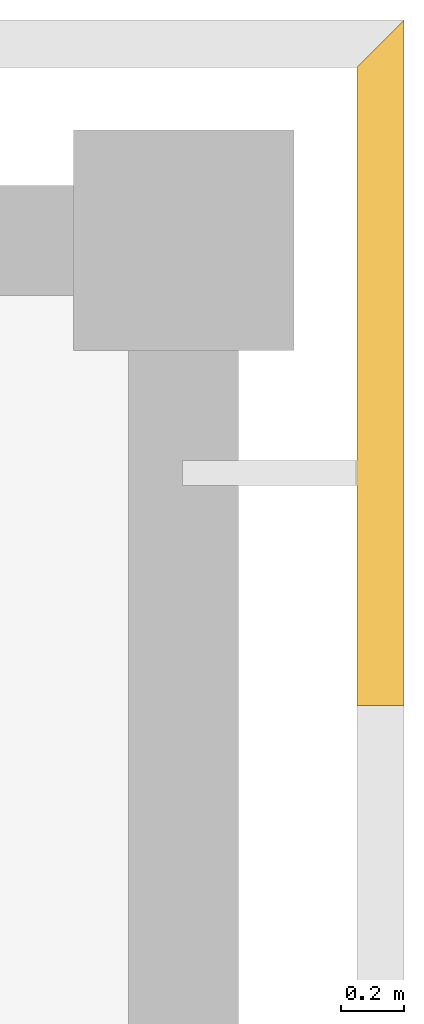
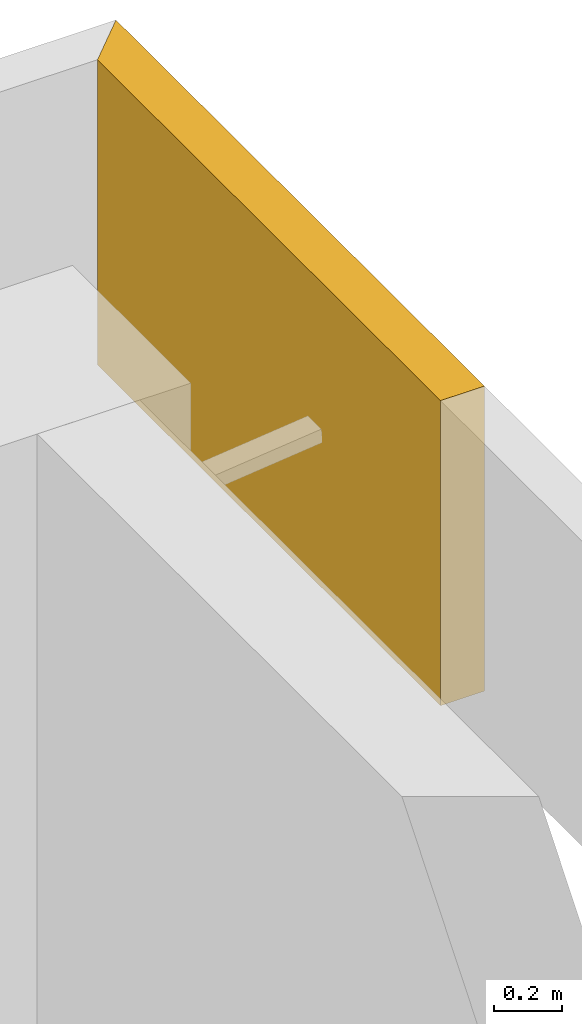
# One storey, part 45 of 46: 1 covering.
"""IFC4 building model written with IfcOpenShell, lengths in metres."""

from ifc_helpers import new_model, si_unit, direction, frame, origin, place, context, subcontext, project, spatial, polyline, outline, extrude, material, layer, layer_set, type_object, element, save


model = new_model("IFC4")

# Units and contexts
model_context = context("Model", 3, precision=1e-05, world=origin(), true_north=direction((0.0, 1.0)))
body_context = subcontext(model_context, "Body", "Model", "MODEL_VIEW")
ifc_project = project(units=[si_unit("LENGTHUNIT", "METRE"), si_unit("AREAUNIT", "SQUARE_METRE"), si_unit("VOLUMEUNIT", "CUBIC_METRE"), si_unit("PLANEANGLEUNIT", "RADIAN"), si_unit("MASSUNIT", "GRAM", prefix="KILO")], contexts=[model_context])

# Site, building, storey
site_placement = place(None, origin())
site = spatial("IfcSite", under=ifc_project, at=site_placement, CompositionType="ELEMENT")
building_placement = place(site_placement, origin())
building = spatial("IfcBuilding", under=site, at=building_placement, Name="Bougainvillea Quay General Hospital", CompositionType="ELEMENT")
storey_placement = place(building_placement, frame((0.0, 0.0, 28.800048828125)))
storey = spatial("IfcBuildingStorey", under=building, at=storey_placement, Name="L06", CompositionType="ELEMENT", Elevation=28.800048828125)

# Covering
ifc_material = material(Name="Powder-coated aluminium fascia, white", Category="aluminium")
ifc_layer = layer(ifc_material, 0.14990234375)
ifc_layer_set = layer_set([ifc_layer], Name="Powder-coated aluminium fascia, white")
covering_type = type_object("IfcCoveringType", Name="Aluminium fascia band white 150x1100", PredefinedType="CLADDING", material=ifc_layer_set)
covering_placement = place(storey_placement, frame((185.35009765625, 158.123046875, 3.349853515625), z_axis=(0.0, 0.0, 1.0), x_axis=(0.0, 1.0, 0.0)))
element("IfcCovering", 1, at=covering_placement, inside=storey, type_object=covering_type, Name="Fascia band white e0 235", PredefinedType="CLADDING", context=body_context, shape_type="SweptSolid", body=[
    extrude(outline(polyline([(0.0, 0.0), (2.02685546875, 0.0), (2.177001953125, -0.14990234375), (0.0, -0.14990234375), (0.0, 0.0)])), origin(), (0.0, 0.0, 1.0), 1.10009765625),
])

save(model, "model.ifc")
